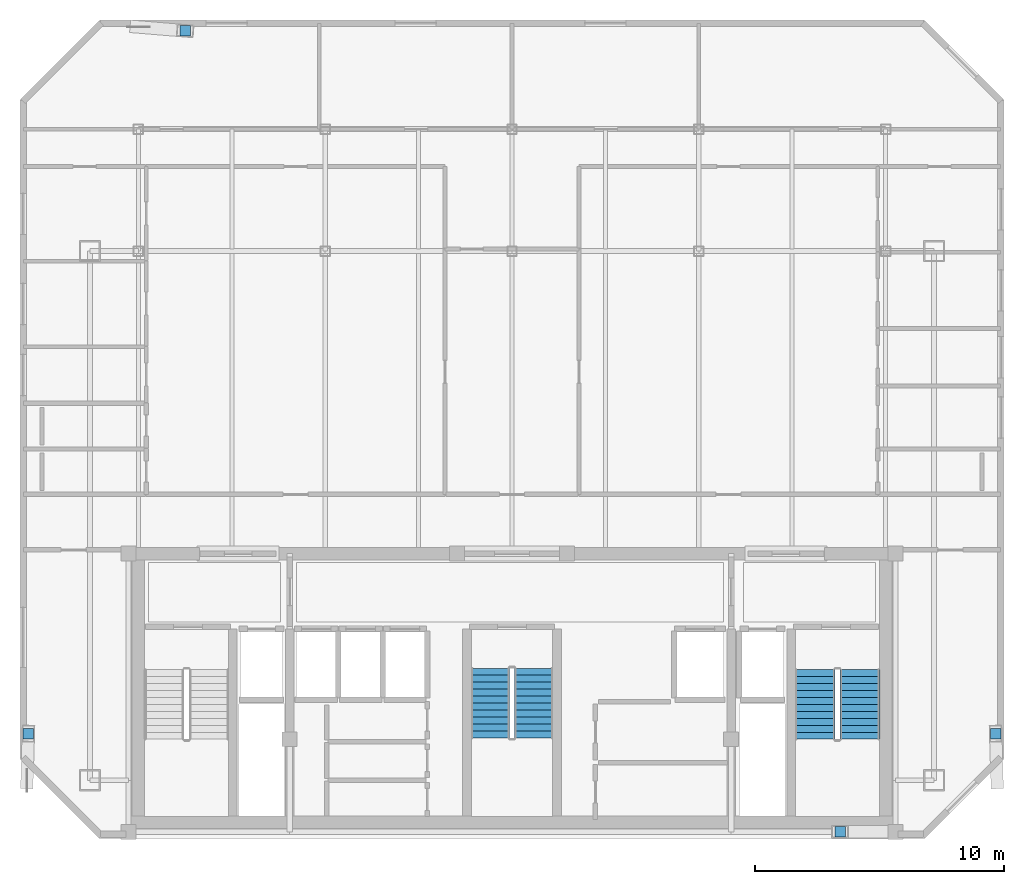
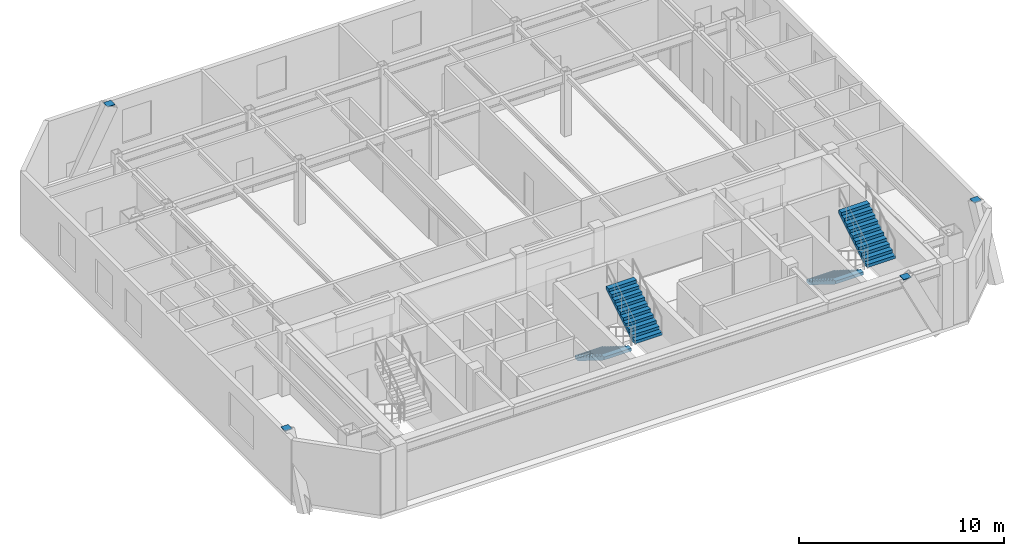
# One storey, part 6 of 7: 4 discrete accessories, 4 stair flights, 2 elements without a shape of their own.
"""IFC4 building model written with IfcOpenShell, lengths in metres."""

from ifc_helpers import new_model, si_unit, direction, frame, origin, origin_2d, place, context, subcontext, project, spatial, polyline, rectangle, outline, extrude, material, type_object, element, aggregate, save


model = new_model("IFC4")

# Units and contexts
model_context = context("Model", 3, precision=1e-05, world=origin(), true_north=direction((0.0, 1.0)))
body_context = subcontext(model_context, "Body", "Model", "MODEL_VIEW")
ifc_project = project(units=[si_unit("LENGTHUNIT", "METRE"), si_unit("AREAUNIT", "SQUARE_METRE"), si_unit("VOLUMEUNIT", "CUBIC_METRE"), si_unit("PLANEANGLEUNIT", "RADIAN"), si_unit("MASSUNIT", "GRAM", prefix="KILO")], contexts=[model_context])

# Site, building, storey
site_placement = place(None, origin())
site = spatial("IfcSite", under=ifc_project, at=site_placement, CompositionType="ELEMENT")
building_placement = place(site_placement, origin())
building = spatial("IfcBuilding", under=site, at=building_placement, Name="Ventersveld Concourse Tower", CompositionType="ELEMENT")
storey_placement = place(building_placement, frame((0.0, 0.0, 316.89990234375)))
storey = spatial("IfcBuildingStorey", under=building, at=storey_placement, Name="L78", CompositionType="ELEMENT", Elevation=316.89990234375)

# Stair, stair flights
ifc_material_1 = material(Name="Concrete C50/60", Category="concrete")
stair_type_1 = type_object("IfcStairType", Name="ST-DOG-155", PredefinedType="HALF_TURN_STAIR", material=ifc_material_1)
stair_1_placement = place(storey_placement, origin())
stair_1 = element("IfcStair", 1, at=stair_1_placement, inside=storey, type_object=stair_type_1, Name="L78 Protected Central Core Escape Stair ST-03", PredefinedType="HALF_TURN_STAIR")
stair_flight_type_1 = type_object("IfcStairFlightType", Name="STF-RC-155", PredefinedType="STRAIGHT", material=ifc_material_1)
stair_flight_1_placement = place(storey_placement, frame((27.875, 6.85009765625, 0.0), z_axis=(0.0, 0.0, 1.0), x_axis=(0.0, -1.0, 0.0)))
stair_flight_1 = element("IfcStairFlight", 2, at=stair_flight_1_placement, type_object=stair_flight_type_1, Name="ST-03 flight 1", NumberOfRisers=11, NumberOfTreads=10, PredefinedType="STRAIGHT", RiserHeight=0.175, TreadLength=0.28, context=body_context, shape_type="SweptSolid", body=[
    extrude(outline(polyline([(0.0, 0.0), (0.0, 0.175048828125), (0.280029296875, 0.175048828125), (0.280029296875, 0.35009765625), (0.56005859375, 0.35009765625), (0.56005859375, 0.52490234375), (0.840087890625, 0.52490234375), (0.840087890625, 0.699951171875), (1.1201171875, 0.699951171875), (1.1201171875, 0.875), (1.39990234375, 0.875), (1.39990234375, 1.050048828125), (1.679931640625, 1.050048828125), (1.679931640625, 1.22509765625), (1.9599609375, 1.22509765625), (1.9599609375, 1.39990234375), (2.239990234375, 1.39990234375), (2.239990234375, 1.574951171875), (2.52001953125, 1.574951171875), (2.52001953125, 1.75), (2.800048828125, 1.75), (2.800048828125, 1.925048828125), (2.800048828125, 1.5732421875), (0.28271484375, 0.0), (0.0, 0.0)])), frame((0.0, 0.77490234375, 0.0), z_axis=(0.0, -1.0, 0.0), x_axis=(1.0, 0.0, 0.0)), (0.0, 0.0, 1.0), 1.550048828125),
])
stair_flight_2_placement = place(storey_placement, frame((29.625, 4.050048828125, 1.925048828125), z_axis=(0.0, 0.0, 1.0), x_axis=(0.0, 1.0, 0.0)))
stair_flight_2 = element("IfcStairFlight", 3, at=stair_flight_2_placement, type_object=stair_flight_type_1, Name="ST-03 flight 2", NumberOfRisers=11, NumberOfTreads=10, PredefinedType="STRAIGHT", RiserHeight=0.175, TreadLength=0.28, context=body_context, shape_type="SweptSolid", body=[
    extrude(outline(polyline([(0.0, 0.0), (0.0, 0.175048828125), (0.280029296875, 0.175048828125), (0.280029296875, 0.35009765625), (0.56005859375, 0.35009765625), (0.56005859375, 0.52490234375), (0.840087890625, 0.52490234375), (0.840087890625, 0.699951171875), (1.1201171875, 0.699951171875), (1.1201171875, 0.875), (1.39990234375, 0.875), (1.39990234375, 1.050048828125), (1.679931640625, 1.050048828125), (1.679931640625, 1.22509765625), (1.9599609375, 1.22509765625), (1.9599609375, 1.39990234375), (2.239990234375, 1.39990234375), (2.239990234375, 1.574951171875), (2.52001953125, 1.574951171875), (2.52001953125, 1.75), (2.800048828125, 1.75), (2.800048828125, 1.925048828125), (2.800048828125, 1.5732421875), (0.28271484375, 0.0), (0.0, 0.0)])), frame((0.0, 0.77490234375, 0.0), z_axis=(0.0, -1.0, 0.0), x_axis=(1.0, 0.0, 0.0)), (0.0, 0.0, 1.0), 1.550048828125),
])
aggregate(stair_1, [stair_flight_1, stair_flight_2])

stair_type_2 = type_object("IfcStairType", Name="ST-DOG-160", PredefinedType="HALF_TURN_STAIR", material=ifc_material_1)
stair_2_placement = place(storey_placement, origin())
stair_2 = element("IfcStair", 4, at=stair_2_placement, inside=storey, type_object=stair_type_2, Name="L78 Protected Tower Escape Stair ST-02", PredefinedType="HALF_TURN_STAIR")
stair_flight_type_2 = type_object("IfcStairFlightType", Name="STF-RC-160", PredefinedType="STRAIGHT", material=ifc_material_1)
stair_flight_3_placement = place(storey_placement, frame((40.919921875, 6.800048828125, 0.0), z_axis=(0.0, 0.0, 1.0), x_axis=(0.0, -1.0, 0.0)))
stair_flight_3 = element("IfcStairFlight", 5, at=stair_flight_3_placement, type_object=stair_flight_type_2, Name="ST-02 flight 1", NumberOfRisers=11, NumberOfTreads=10, PredefinedType="STRAIGHT", RiserHeight=0.175, TreadLength=0.28, context=body_context, shape_type="SweptSolid", body=[
    extrude(outline(polyline([(0.0, 0.0), (0.0, 0.175048828125), (0.280029296875, 0.175048828125), (0.280029296875, 0.35009765625), (0.56005859375, 0.35009765625), (0.56005859375, 0.52490234375), (0.840087890625, 0.52490234375), (0.840087890625, 0.699951171875), (1.1201171875, 0.699951171875), (1.1201171875, 0.875), (1.39990234375, 0.875), (1.39990234375, 1.050048828125), (1.679931640625, 1.050048828125), (1.679931640625, 1.22509765625), (1.9599609375, 1.22509765625), (1.9599609375, 1.39990234375), (2.239990234375, 1.39990234375), (2.239990234375, 1.574951171875), (2.52001953125, 1.574951171875), (2.52001953125, 1.75), (2.800048828125, 1.75), (2.800048828125, 1.925048828125), (2.800048828125, 1.5732421875), (0.28271484375, 0.0), (0.0, 0.0)])), frame((0.0, 0.800048828125, 0.0), z_axis=(0.0, -1.0, 0.0), x_axis=(1.0, 0.0, 0.0)), (0.0, 0.0, 1.0), 1.60009765625),
])
stair_flight_4_placement = place(storey_placement, frame((42.719970703125, 4.0, 1.925048828125), z_axis=(0.0, 0.0, 1.0), x_axis=(0.0, 1.0, 0.0)))
stair_flight_4 = element("IfcStairFlight", 6, at=stair_flight_4_placement, type_object=stair_flight_type_2, Name="ST-02 flight 2", NumberOfRisers=11, NumberOfTreads=10, PredefinedType="STRAIGHT", RiserHeight=0.175, TreadLength=0.28, context=body_context, shape_type="SweptSolid", body=[
    extrude(outline(polyline([(0.0, 0.0), (0.0, 0.175048828125), (0.280029296875, 0.175048828125), (0.280029296875, 0.35009765625), (0.56005859375, 0.35009765625), (0.56005859375, 0.52490234375), (0.840087890625, 0.52490234375), (0.840087890625, 0.699951171875), (1.1201171875, 0.699951171875), (1.1201171875, 0.875), (1.39990234375, 0.875), (1.39990234375, 1.050048828125), (1.679931640625, 1.050048828125), (1.679931640625, 1.22509765625), (1.9599609375, 1.22509765625), (1.9599609375, 1.39990234375), (2.239990234375, 1.39990234375), (2.239990234375, 1.574951171875), (2.52001953125, 1.574951171875), (2.52001953125, 1.75), (2.800048828125, 1.75), (2.800048828125, 1.925048828125), (2.800048828125, 1.5732421875), (0.28271484375, 0.0), (0.0, 0.0)])), frame((0.0, 0.800048828125, 0.0), z_axis=(0.0, -1.0, 0.0), x_axis=(1.0, 0.0, 0.0)), (0.0, 0.0, 1.0), 1.60009765625),
])
aggregate(stair_2, [stair_flight_3, stair_flight_4])

# Discrete accessories
ifc_material_2 = material(Name="Structural steel S355J2", Category="steel")
discrete_accessory_type = type_object("IfcDiscreteAccessoryType", Name="CONN-BRACE-ECP1", PredefinedType="BRACKET", material=ifc_material_2)
for number, where, z_axis, x_axis, name in (
    (7, (15.625, 32.44775390625, 3.630126953125), (0.0, 0.0, 1.0), (1.0, 0.0, 0.0), "L78 Steel Brace End Connection Plate ECP1-0500"),
    (8, (41.925048828125, 0.280029296875, 3.630126953125), (0.0, 0.0, 1.0), (1.0, 0.0, 0.0), "L78 Steel Brace End Connection Plate ECP1-0504"),
    (9, (9.326416015625, 4.22509765625, 3.630126953125), (0.0, 0.0, 1.0), (1.0, 0.0, 0.0), "L78 Steel Brace End Connection Plate ECP1-0508"),
    (10, (48.173583984375, 4.22509765625, 3.630126953125), (0.0, 0.0, 1.0), (1.0, 0.0, 0.0), "L78 Steel Brace End Connection Plate ECP1-0512"),
):
    element("IfcDiscreteAccessory", number, at=place(storey_placement, frame(where, z_axis=z_axis, x_axis=x_axis)), inside=storey, type_object=discrete_accessory_type, Name=name, PredefinedType="BRACKET", context=body_context, shape_type="SweptSolid", body=[
        extrude(rectangle(XDim=0.419921875, YDim=0.419921875, at=origin_2d()), origin(), (0.0, 0.0, 1.0), 0.0400390625),
    ])

save(model, "model.ifc")
